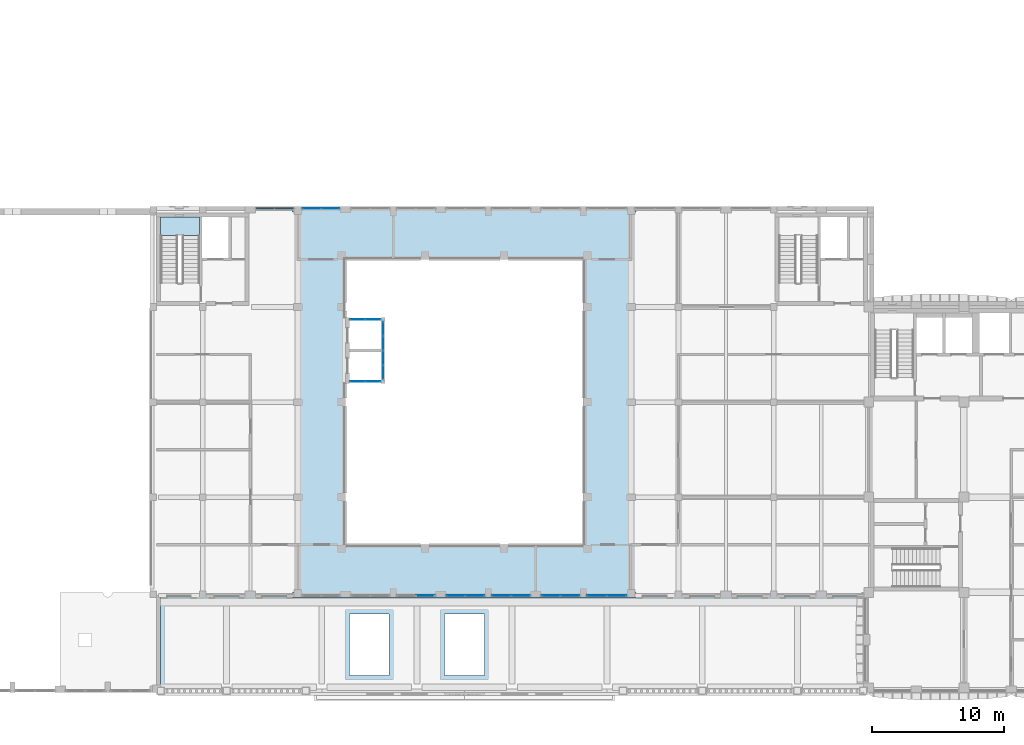
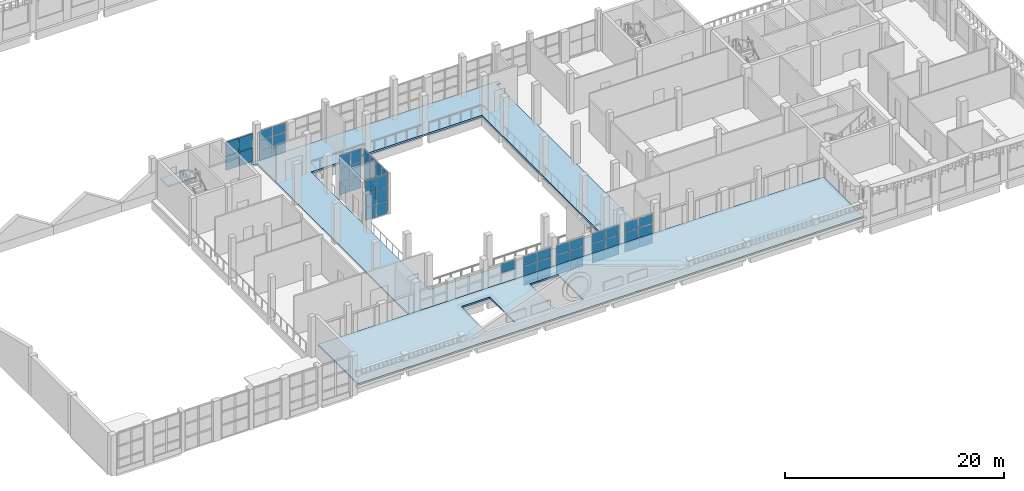
# One storey, part 17 of 58: 59 plates, 3 slabs, 11 elements without a shape of their own.
"""IFC4 building model written with IfcOpenShell, lengths in metres."""

from ifc_helpers import new_model, si_unit, direction, frame, origin, origin_2d, place, context, subcontext, project, spatial, polyline, rectangle, outline, extrude, material, layer, layer_set, type_object, element, aggregate, save


model = new_model("IFC4")

# Units and contexts
model_context = context("Model", 3, precision=1e-05, world=origin(), true_north=direction((0.0, 1.0)))
body_context = subcontext(model_context, "Body", "Model", "MODEL_VIEW")
ifc_project = project(units=[si_unit("LENGTHUNIT", "METRE"), si_unit("AREAUNIT", "SQUARE_METRE"), si_unit("VOLUMEUNIT", "CUBIC_METRE"), si_unit("PLANEANGLEUNIT", "RADIAN"), si_unit("MASSUNIT", "GRAM", prefix="KILO")], contexts=[model_context])

# Site, building, storey
site_placement = place(None, origin())
site = spatial("IfcSite", under=ifc_project, at=site_placement, CompositionType="ELEMENT")
building_placement = place(site_placement, origin())
building = spatial("IfcBuilding", under=site, at=building_placement, Name="Ussher Court Research Institute", CompositionType="ELEMENT")
storey_placement = place(building_placement, frame((0.0, 0.0, 9.89990234375)))
storey = spatial("IfcBuildingStorey", under=building, at=storey_placement, Name="L02", CompositionType="ELEMENT", Elevation=9.89990234375)

# Curtain wall, plates
ifc_material_1 = material(Name="Bronze anodised aluminium with fire-resisting glass", Category="aluminium")
ifc_layer_1 = layer(ifc_material_1, 0.1201171875)
ifc_layer_set_1 = layer_set([ifc_layer_1], Name="Bronze anodised aluminium with fire-resisting glass")
curtain_wall_type_1 = type_object("IfcCurtainWallType", Name="Curtain wall stair-side fire-resisting glazing", PredefinedType="NOTDEFINED", material=ifc_layer_set_1)
curtain_wall_1_placement = place(storey_placement, origin())
curtain_wall_1 = element("IfcCurtainWall", 1, at=curtain_wall_1_placement, inside=storey, type_object=curtain_wall_type_1, Name="Curtain wall CW13 L02", PredefinedType="NOTDEFINED")
ifc_material_2 = material(Name="Fire-resisting laminated glazed unit")
ifc_layer_2 = layer(ifc_material_2, 0.090087890625)
ifc_layer_set_2 = layer_set([ifc_layer_2], Name="Fire-resisting laminated glazed unit")
plate_type_1 = type_object("IfcPlateType", Name="Fire-resisting glazing panel EI 60 90 mm", PredefinedType="CURTAIN_PANEL", material=ifc_layer_set_2)
plate_1_placement = place(storey_placement, frame((36.5400390625, 40.25, 0.2099609375), z_axis=(0.0, 0.0, 1.0), x_axis=(1.0, 0.0, 0.0)))
plate_1 = element("IfcPlate", 2, at=plate_1_placement, type_object=plate_type_1, Name="CW13 panel 1.1", PredefinedType="CURTAIN_PANEL", context=body_context, shape_type="SweptSolid", body=[
    extrude(rectangle(XDim=1.360107421875, YDim=0.090087890625, at=origin_2d()), origin(), (0.0, 0.0, 1.0), 1.534912109375),
])
plate_2_placement = place(storey_placement, frame((36.5400390625, 40.25, 1.80517578125), z_axis=(0.0, 0.0, 1.0), x_axis=(1.0, 0.0, 0.0)))
plate_2 = element("IfcPlate", 3, at=plate_2_placement, type_object=plate_type_1, Name="CW13 panel 1.2", PredefinedType="CURTAIN_PANEL", context=body_context, shape_type="SweptSolid", body=[
    extrude(rectangle(XDim=1.360107421875, YDim=0.090087890625, at=origin_2d()), origin(), (0.0, 0.0, 1.0), 1.534912109375),
])
plate_3_placement = place(storey_placement, frame((37.9599609375, 40.25, 0.2099609375), z_axis=(0.0, 0.0, 1.0), x_axis=(1.0, 0.0, 0.0)))
plate_3 = element("IfcPlate", 4, at=plate_3_placement, type_object=plate_type_1, Name="CW13 panel 2.1", PredefinedType="CURTAIN_PANEL", context=body_context, shape_type="SweptSolid", body=[
    extrude(rectangle(XDim=1.360107421875, YDim=0.090087890625, at=origin_2d()), origin(), (0.0, 0.0, 1.0), 1.534912109375),
])
plate_4_placement = place(storey_placement, frame((37.9599609375, 40.25, 1.80517578125), z_axis=(0.0, 0.0, 1.0), x_axis=(1.0, 0.0, 0.0)))
plate_4 = element("IfcPlate", 5, at=plate_4_placement, type_object=plate_type_1, Name="CW13 panel 2.2", PredefinedType="CURTAIN_PANEL", context=body_context, shape_type="SweptSolid", body=[
    extrude(rectangle(XDim=1.360107421875, YDim=0.090087890625, at=origin_2d()), origin(), (0.0, 0.0, 1.0), 1.534912109375),
])
aggregate(curtain_wall_1, [plate_1, plate_2, plate_3, plate_4])

# Slab
ifc_material_3 = material(Name="Concrete C35/45", Category="concrete")
ifc_layer_3 = layer(ifc_material_3, 0.199951171875)
ifc_layer_set_3 = layer_set([ifc_layer_3], Name="Concrete C35/45")
slab_type_1 = type_object("IfcSlabType", Name="Floor slab 200", PredefinedType="FLOOR", material=ifc_layer_set_3)
slab_1_placement = place(storey_placement, frame((0.0, 0.0, -0.199951171875)))
element("IfcSlab", 6, at=slab_1_placement, inside=storey, type_object=slab_type_1, Name="FS200 V2 L02-01", PredefinedType="FLOOR", context=body_context, shape_type="SweptSolid", body=[
    extrude(outline(polyline([(39.0, 40.0), (39.0, 11.199951171875), (38.60009765625, 11.199951171875), (38.60009765625, 10.800048828125), (64.60009765625, 10.800048828125), (64.60009765625, 11.199951171875), (64.199951171875, 11.199951171875), (64.199951171875, 40.0), (64.60009765625, 40.0), (64.60009765625, 40.39990234375), (38.60009765625, 40.39990234375), (38.60009765625, 40.0), (39.0, 40.0)]), holes=[polyline([(42.60009765625, 36.39990234375), (60.60009765625, 36.39990234375), (60.60009765625, 14.800048828125), (42.60009765625, 14.800048828125), (42.60009765625, 36.39990234375)])]), origin(), (0.0, 0.0, 1.0), 0.199951171875),
])

# Curtain wall, plates
ifc_material_4 = material(Name="Bronze anodised aluminium with low-e glass", Category="aluminium")
ifc_layer_4 = layer(ifc_material_4, 0.1201171875)
ifc_layer_set_4 = layer_set([ifc_layer_4], Name="Bronze anodised aluminium with low-e glass")
curtain_wall_type_2 = type_object("IfcCurtainWallType", Name="Curtain wall atrium clear glazing", PredefinedType="NOTDEFINED", material=ifc_layer_set_4)
curtain_wall_2_placement = place(storey_placement, origin())
curtain_wall_2 = element("IfcCurtainWall", 7, at=curtain_wall_2_placement, inside=storey, type_object=curtain_wall_type_2, Name="Curtain wall CW2 L02", PredefinedType="NOTDEFINED")
ifc_material_5 = material(Name="Double glazed unit")
ifc_layer_5 = layer(ifc_material_5, 0.028076171875)
ifc_layer_set_5 = layer_set([ifc_layer_5], Name="Double glazed unit")
plate_type_2 = type_object("IfcPlateType", Name="Glazing panel 28 mm", PredefinedType="CURTAIN_PANEL", material=ifc_layer_set_5)
plate_5_placement = place(storey_placement, frame((40.0400390625, 40.25, 0.06005859375), z_axis=(0.0, 0.0, 1.0), x_axis=(1.0, 0.0, 0.0)))
plate_5 = element("IfcPlate", 8, at=plate_5_placement, type_object=plate_type_2, Name="CW2 panel 1.1", PredefinedType="CURTAIN_PANEL", context=body_context, shape_type="SweptSolid", body=[
    extrude(rectangle(XDim=1.360107421875, YDim=0.028076171875, at=origin_2d()), origin(), (0.0, 0.0, 1.0), 1.043212890625),
])
plate_6_placement = place(storey_placement, frame((40.0400390625, 40.25, 1.16357421875), z_axis=(0.0, 0.0, 1.0), x_axis=(1.0, 0.0, 0.0)))
plate_6 = element("IfcPlate", 9, at=plate_6_placement, type_object=plate_type_2, Name="CW2 panel 1.2", PredefinedType="CURTAIN_PANEL", context=body_context, shape_type="SweptSolid", body=[
    extrude(rectangle(XDim=1.360107421875, YDim=0.028076171875, at=origin_2d()), origin(), (0.0, 0.0, 1.0), 1.073486328125),
])
plate_7_placement = place(storey_placement, frame((40.0400390625, 40.25, 2.296875), z_axis=(0.0, 0.0, 1.0), x_axis=(1.0, 0.0, 0.0)))
plate_7 = element("IfcPlate", 10, at=plate_7_placement, type_object=plate_type_2, Name="CW2 panel 1.3", PredefinedType="CURTAIN_PANEL", context=body_context, shape_type="SweptSolid", body=[
    extrude(rectangle(XDim=1.360107421875, YDim=0.028076171875, at=origin_2d()), origin(), (0.0, 0.0, 1.0), 1.043212890625),
])
plate_8_placement = place(storey_placement, frame((41.4599609375, 40.25, 0.06005859375), z_axis=(0.0, 0.0, 1.0), x_axis=(1.0, 0.0, 0.0)))
plate_8 = element("IfcPlate", 11, at=plate_8_placement, type_object=plate_type_2, Name="CW2 panel 2.1", PredefinedType="CURTAIN_PANEL", context=body_context, shape_type="SweptSolid", body=[
    extrude(rectangle(XDim=1.360107421875, YDim=0.028076171875, at=origin_2d()), origin(), (0.0, 0.0, 1.0), 1.043212890625),
])
plate_9_placement = place(storey_placement, frame((41.4599609375, 40.25, 1.16357421875), z_axis=(0.0, 0.0, 1.0), x_axis=(1.0, 0.0, 0.0)))
plate_9 = element("IfcPlate", 12, at=plate_9_placement, type_object=plate_type_2, Name="CW2 panel 2.2", PredefinedType="CURTAIN_PANEL", context=body_context, shape_type="SweptSolid", body=[
    extrude(rectangle(XDim=1.360107421875, YDim=0.028076171875, at=origin_2d()), origin(), (0.0, 0.0, 1.0), 1.073486328125),
])
plate_10_placement = place(storey_placement, frame((41.4599609375, 40.25, 2.296875), z_axis=(0.0, 0.0, 1.0), x_axis=(1.0, 0.0, 0.0)))
plate_10 = element("IfcPlate", 13, at=plate_10_placement, type_object=plate_type_2, Name="CW2 panel 2.3", PredefinedType="CURTAIN_PANEL", context=body_context, shape_type="SweptSolid", body=[
    extrude(rectangle(XDim=1.360107421875, YDim=0.028076171875, at=origin_2d()), origin(), (0.0, 0.0, 1.0), 1.043212890625),
])
aggregate(curtain_wall_2, [plate_5, plate_6, plate_7, plate_8, plate_9, plate_10])

curtain_wall_3_placement = place(storey_placement, origin())
curtain_wall_3 = element("IfcCurtainWall", 14, at=curtain_wall_3_placement, inside=storey, type_object=curtain_wall_type_2, Name="Curtain wall CW2 L02", PredefinedType="NOTDEFINED")
plate_11_placement = place(storey_placement, frame((63.12255859375, 10.949951171875, 0.06005859375), z_axis=(0.0, 0.0, 1.0), x_axis=(-1.0, 0.0, 0.0)))
plate_11 = element("IfcPlate", 15, at=plate_11_placement, type_object=plate_type_2, Name="CW2 panel 1.1", PredefinedType="CURTAIN_PANEL", context=body_context, shape_type="SweptSolid", body=[
    extrude(rectangle(XDim=1.43505859375, YDim=0.028076171875, at=origin_2d()), origin(), (0.0, 0.0, 1.0), 1.043212890625),
])
plate_12_placement = place(storey_placement, frame((63.12255859375, 10.949951171875, 1.16357421875), z_axis=(0.0, 0.0, 1.0), x_axis=(-1.0, 0.0, 0.0)))
plate_12 = element("IfcPlate", 16, at=plate_12_placement, type_object=plate_type_2, Name="CW2 panel 1.2", PredefinedType="CURTAIN_PANEL", context=body_context, shape_type="SweptSolid", body=[
    extrude(rectangle(XDim=1.43505859375, YDim=0.028076171875, at=origin_2d()), origin(), (0.0, 0.0, 1.0), 1.073486328125),
])
plate_13_placement = place(storey_placement, frame((63.12255859375, 10.949951171875, 2.296875), z_axis=(0.0, 0.0, 1.0), x_axis=(-1.0, 0.0, 0.0)))
plate_13 = element("IfcPlate", 17, at=plate_13_placement, type_object=plate_type_2, Name="CW2 panel 1.3", PredefinedType="CURTAIN_PANEL", context=body_context, shape_type="SweptSolid", body=[
    extrude(rectangle(XDim=1.43505859375, YDim=0.028076171875, at=origin_2d()), origin(), (0.0, 0.0, 1.0), 1.043212890625),
])
plate_14_placement = place(storey_placement, frame((61.62744140625, 10.949951171875, 0.06005859375), z_axis=(0.0, 0.0, 1.0), x_axis=(-1.0, 0.0, 0.0)))
plate_14 = element("IfcPlate", 18, at=plate_14_placement, type_object=plate_type_2, Name="CW2 panel 2.1", PredefinedType="CURTAIN_PANEL", context=body_context, shape_type="SweptSolid", body=[
    extrude(rectangle(XDim=1.43505859375, YDim=0.028076171875, at=origin_2d()), origin(), (0.0, 0.0, 1.0), 1.043212890625),
])
plate_15_placement = place(storey_placement, frame((61.62744140625, 10.949951171875, 1.16357421875), z_axis=(0.0, 0.0, 1.0), x_axis=(-1.0, 0.0, 0.0)))
plate_15 = element("IfcPlate", 19, at=plate_15_placement, type_object=plate_type_2, Name="CW2 panel 2.2", PredefinedType="CURTAIN_PANEL", context=body_context, shape_type="SweptSolid", body=[
    extrude(rectangle(XDim=1.43505859375, YDim=0.028076171875, at=origin_2d()), origin(), (0.0, 0.0, 1.0), 1.073486328125),
])
plate_16_placement = place(storey_placement, frame((61.62744140625, 10.949951171875, 2.296875), z_axis=(0.0, 0.0, 1.0), x_axis=(-1.0, 0.0, 0.0)))
plate_16 = element("IfcPlate", 20, at=plate_16_placement, type_object=plate_type_2, Name="CW2 panel 2.3", PredefinedType="CURTAIN_PANEL", context=body_context, shape_type="SweptSolid", body=[
    extrude(rectangle(XDim=1.43505859375, YDim=0.028076171875, at=origin_2d()), origin(), (0.0, 0.0, 1.0), 1.043212890625),
])
aggregate(curtain_wall_3, [plate_11, plate_12, plate_13, plate_14, plate_15, plate_16])

curtain_wall_4_placement = place(storey_placement, origin())
curtain_wall_4 = element("IfcCurtainWall", 21, at=curtain_wall_4_placement, inside=storey, type_object=curtain_wall_type_2, Name="Curtain wall CW2 L02", PredefinedType="NOTDEFINED")
plate_17_placement = place(storey_placement, frame((59.597412109375, 10.949951171875, 0.06005859375), z_axis=(0.0, 0.0, 1.0), x_axis=(-1.0, 0.0, 0.0)))
plate_17 = element("IfcPlate", 22, at=plate_17_placement, type_object=plate_type_2, Name="CW2 panel 1.1", PredefinedType="CURTAIN_PANEL", context=body_context, shape_type="SweptSolid", body=[
    extrude(rectangle(XDim=1.385009765625, YDim=0.028076171875, at=origin_2d()), origin(), (0.0, 0.0, 1.0), 1.043212890625),
])
plate_18_placement = place(storey_placement, frame((59.597412109375, 10.949951171875, 1.16357421875), z_axis=(0.0, 0.0, 1.0), x_axis=(-1.0, 0.0, 0.0)))
plate_18 = element("IfcPlate", 23, at=plate_18_placement, type_object=plate_type_2, Name="CW2 panel 1.2", PredefinedType="CURTAIN_PANEL", context=body_context, shape_type="SweptSolid", body=[
    extrude(rectangle(XDim=1.385009765625, YDim=0.028076171875, at=origin_2d()), origin(), (0.0, 0.0, 1.0), 1.073486328125),
])
plate_19_placement = place(storey_placement, frame((59.597412109375, 10.949951171875, 2.296875), z_axis=(0.0, 0.0, 1.0), x_axis=(-1.0, 0.0, 0.0)))
plate_19 = element("IfcPlate", 24, at=plate_19_placement, type_object=plate_type_2, Name="CW2 panel 1.3", PredefinedType="CURTAIN_PANEL", context=body_context, shape_type="SweptSolid", body=[
    extrude(rectangle(XDim=1.385009765625, YDim=0.028076171875, at=origin_2d()), origin(), (0.0, 0.0, 1.0), 1.043212890625),
])
plate_20_placement = place(storey_placement, frame((58.152587890625, 10.949951171875, 0.06005859375), z_axis=(0.0, 0.0, 1.0), x_axis=(-1.0, 0.0, 0.0)))
plate_20 = element("IfcPlate", 25, at=plate_20_placement, type_object=plate_type_2, Name="CW2 panel 2.1", PredefinedType="CURTAIN_PANEL", context=body_context, shape_type="SweptSolid", body=[
    extrude(rectangle(XDim=1.385009765625, YDim=0.028076171875, at=origin_2d()), origin(), (0.0, 0.0, 1.0), 1.043212890625),
])
plate_21_placement = place(storey_placement, frame((58.152587890625, 10.949951171875, 1.16357421875), z_axis=(0.0, 0.0, 1.0), x_axis=(-1.0, 0.0, 0.0)))
plate_21 = element("IfcPlate", 26, at=plate_21_placement, type_object=plate_type_2, Name="CW2 panel 2.2", PredefinedType="CURTAIN_PANEL", context=body_context, shape_type="SweptSolid", body=[
    extrude(rectangle(XDim=1.385009765625, YDim=0.028076171875, at=origin_2d()), origin(), (0.0, 0.0, 1.0), 1.073486328125),
])
plate_22_placement = place(storey_placement, frame((58.152587890625, 10.949951171875, 2.296875), z_axis=(0.0, 0.0, 1.0), x_axis=(-1.0, 0.0, 0.0)))
plate_22 = element("IfcPlate", 27, at=plate_22_placement, type_object=plate_type_2, Name="CW2 panel 2.3", PredefinedType="CURTAIN_PANEL", context=body_context, shape_type="SweptSolid", body=[
    extrude(rectangle(XDim=1.385009765625, YDim=0.028076171875, at=origin_2d()), origin(), (0.0, 0.0, 1.0), 1.043212890625),
])
aggregate(curtain_wall_4, [plate_17, plate_18, plate_19, plate_20, plate_21, plate_22])

curtain_wall_5_placement = place(storey_placement, origin())
curtain_wall_5 = element("IfcCurtainWall", 28, at=curtain_wall_5_placement, inside=storey, type_object=curtain_wall_type_2, Name="Curtain wall CW2 L02", PredefinedType="NOTDEFINED")
plate_23_placement = place(storey_placement, frame((55.847412109375, 10.949951171875, 0.06005859375), z_axis=(0.0, 0.0, 1.0), x_axis=(-1.0, 0.0, 0.0)))
plate_23 = element("IfcPlate", 29, at=plate_23_placement, type_object=plate_type_2, Name="CW2 panel 1.1", PredefinedType="CURTAIN_PANEL", context=body_context, shape_type="SweptSolid", body=[
    extrude(rectangle(XDim=1.385009765625, YDim=0.028076171875, at=origin_2d()), origin(), (0.0, 0.0, 1.0), 1.043212890625),
])
plate_24_placement = place(storey_placement, frame((55.847412109375, 10.949951171875, 1.16357421875), z_axis=(0.0, 0.0, 1.0), x_axis=(-1.0, 0.0, 0.0)))
plate_24 = element("IfcPlate", 30, at=plate_24_placement, type_object=plate_type_2, Name="CW2 panel 1.2", PredefinedType="CURTAIN_PANEL", context=body_context, shape_type="SweptSolid", body=[
    extrude(rectangle(XDim=1.385009765625, YDim=0.028076171875, at=origin_2d()), origin(), (0.0, 0.0, 1.0), 1.073486328125),
])
plate_25_placement = place(storey_placement, frame((55.847412109375, 10.949951171875, 2.296875), z_axis=(0.0, 0.0, 1.0), x_axis=(-1.0, 0.0, 0.0)))
plate_25 = element("IfcPlate", 31, at=plate_25_placement, type_object=plate_type_2, Name="CW2 panel 1.3", PredefinedType="CURTAIN_PANEL", context=body_context, shape_type="SweptSolid", body=[
    extrude(rectangle(XDim=1.385009765625, YDim=0.028076171875, at=origin_2d()), origin(), (0.0, 0.0, 1.0), 1.043212890625),
])
plate_26_placement = place(storey_placement, frame((54.402587890625, 10.949951171875, 0.06005859375), z_axis=(0.0, 0.0, 1.0), x_axis=(-1.0, 0.0, 0.0)))
plate_26 = element("IfcPlate", 32, at=plate_26_placement, type_object=plate_type_2, Name="CW2 panel 2.1", PredefinedType="CURTAIN_PANEL", context=body_context, shape_type="SweptSolid", body=[
    extrude(rectangle(XDim=1.385009765625, YDim=0.028076171875, at=origin_2d()), origin(), (0.0, 0.0, 1.0), 1.043212890625),
])
plate_27_placement = place(storey_placement, frame((54.402587890625, 10.949951171875, 1.16357421875), z_axis=(0.0, 0.0, 1.0), x_axis=(-1.0, 0.0, 0.0)))
plate_27 = element("IfcPlate", 33, at=plate_27_placement, type_object=plate_type_2, Name="CW2 panel 2.2", PredefinedType="CURTAIN_PANEL", context=body_context, shape_type="SweptSolid", body=[
    extrude(rectangle(XDim=1.385009765625, YDim=0.028076171875, at=origin_2d()), origin(), (0.0, 0.0, 1.0), 1.073486328125),
])
plate_28_placement = place(storey_placement, frame((54.402587890625, 10.949951171875, 2.296875), z_axis=(0.0, 0.0, 1.0), x_axis=(-1.0, 0.0, 0.0)))
plate_28 = element("IfcPlate", 34, at=plate_28_placement, type_object=plate_type_2, Name="CW2 panel 2.3", PredefinedType="CURTAIN_PANEL", context=body_context, shape_type="SweptSolid", body=[
    extrude(rectangle(XDim=1.385009765625, YDim=0.028076171875, at=origin_2d()), origin(), (0.0, 0.0, 1.0), 1.043212890625),
])
aggregate(curtain_wall_5, [plate_23, plate_24, plate_25, plate_26, plate_27, plate_28])

curtain_wall_6_placement = place(storey_placement, origin())
curtain_wall_6 = element("IfcCurtainWall", 35, at=curtain_wall_6_placement, inside=storey, type_object=curtain_wall_type_2, Name="Curtain wall CW2 L02", PredefinedType="NOTDEFINED")
plate_29_placement = place(storey_placement, frame((52.3974609375, 10.949951171875, 0.06005859375), z_axis=(0.0, 0.0, 1.0), x_axis=(-1.0, 0.0, 0.0)))
plate_29 = element("IfcPlate", 36, at=plate_29_placement, type_object=plate_type_2, Name="CW2 panel 1.1", PredefinedType="CURTAIN_PANEL", context=body_context, shape_type="SweptSolid", body=[
    extrude(rectangle(XDim=1.385009765625, YDim=0.028076171875, at=origin_2d()), origin(), (0.0, 0.0, 1.0), 1.043212890625),
])
plate_30_placement = place(storey_placement, frame((52.3974609375, 10.949951171875, 1.16357421875), z_axis=(0.0, 0.0, 1.0), x_axis=(-1.0, 0.0, 0.0)))
plate_30 = element("IfcPlate", 37, at=plate_30_placement, type_object=plate_type_2, Name="CW2 panel 1.2", PredefinedType="CURTAIN_PANEL", context=body_context, shape_type="SweptSolid", body=[
    extrude(rectangle(XDim=1.385009765625, YDim=0.028076171875, at=origin_2d()), origin(), (0.0, 0.0, 1.0), 1.073486328125),
])
plate_31_placement = place(storey_placement, frame((52.3974609375, 10.949951171875, 2.296875), z_axis=(0.0, 0.0, 1.0), x_axis=(-1.0, 0.0, 0.0)))
plate_31 = element("IfcPlate", 38, at=plate_31_placement, type_object=plate_type_2, Name="CW2 panel 1.3", PredefinedType="CURTAIN_PANEL", context=body_context, shape_type="SweptSolid", body=[
    extrude(rectangle(XDim=1.385009765625, YDim=0.028076171875, at=origin_2d()), origin(), (0.0, 0.0, 1.0), 1.043212890625),
])
plate_32_placement = place(storey_placement, frame((50.952392578125, 10.949951171875, 0.06005859375), z_axis=(0.0, 0.0, 1.0), x_axis=(-1.0, 0.0, 0.0)))
plate_32 = element("IfcPlate", 39, at=plate_32_placement, type_object=plate_type_2, Name="CW2 panel 2.1", PredefinedType="CURTAIN_PANEL", context=body_context, shape_type="SweptSolid", body=[
    extrude(rectangle(XDim=1.385009765625, YDim=0.028076171875, at=origin_2d()), origin(), (0.0, 0.0, 1.0), 1.043212890625),
])
plate_33_placement = place(storey_placement, frame((50.952392578125, 10.949951171875, 1.16357421875), z_axis=(0.0, 0.0, 1.0), x_axis=(-1.0, 0.0, 0.0)))
plate_33 = element("IfcPlate", 40, at=plate_33_placement, type_object=plate_type_2, Name="CW2 panel 2.2", PredefinedType="CURTAIN_PANEL", context=body_context, shape_type="SweptSolid", body=[
    extrude(rectangle(XDim=1.385009765625, YDim=0.028076171875, at=origin_2d()), origin(), (0.0, 0.0, 1.0), 1.073486328125),
])
plate_34_placement = place(storey_placement, frame((50.952392578125, 10.949951171875, 2.296875), z_axis=(0.0, 0.0, 1.0), x_axis=(-1.0, 0.0, 0.0)))
plate_34 = element("IfcPlate", 41, at=plate_34_placement, type_object=plate_type_2, Name="CW2 panel 2.3", PredefinedType="CURTAIN_PANEL", context=body_context, shape_type="SweptSolid", body=[
    extrude(rectangle(XDim=1.385009765625, YDim=0.028076171875, at=origin_2d()), origin(), (0.0, 0.0, 1.0), 1.043212890625),
])
aggregate(curtain_wall_6, [plate_29, plate_30, plate_31, plate_32, plate_33, plate_34])

# Curtain wall, plate
curtain_wall_7_placement = place(storey_placement, origin())
curtain_wall_7 = element("IfcCurtainWall", 42, at=curtain_wall_7_placement, inside=storey, type_object=curtain_wall_type_2, Name="Curtain wall CW2 L02", PredefinedType="NOTDEFINED")
plate_35_placement = place(storey_placement, frame((48.6474609375, 10.949951171875, 2.296875), z_axis=(0.0, 0.0, 1.0), x_axis=(-1.0, 0.0, 0.0)))
plate_35 = element("IfcPlate", 43, at=plate_35_placement, type_object=plate_type_2, Name="CW2 panel 1.3", PredefinedType="CURTAIN_PANEL", context=body_context, shape_type="SweptSolid", body=[
    extrude(rectangle(XDim=1.385009765625, YDim=0.028076171875, at=origin_2d()), origin(), (0.0, 0.0, 1.0), 1.043212890625),
])
aggregate(curtain_wall_7, [plate_35])

# Curtain wall, plates
curtain_wall_8_placement = place(storey_placement, origin())
curtain_wall_8 = element("IfcCurtainWall", 44, at=curtain_wall_8_placement, inside=storey, type_object=curtain_wall_type_2, Name="Curtain wall CW2 lift shaft L02", PredefinedType="NOTDEFINED")
plate_36_placement = place(storey_placement, frame((43.514892578125, 27.14990234375, 0.06005859375), z_axis=(0.0, 0.0, 1.0), x_axis=(1.0, 0.0, 0.0)))
plate_36 = element("IfcPlate", 45, at=plate_36_placement, type_object=plate_type_2, Name="CW2 panel 1.1", PredefinedType="CURTAIN_PANEL", context=body_context, shape_type="SweptSolid", body=[
    extrude(rectangle(XDim=1.110107421875, YDim=0.028076171875, at=origin_2d()), origin(), (0.0, 0.0, 1.0), 1.409912109375),
])
plate_37_placement = place(storey_placement, frame((43.514892578125, 27.14990234375, 1.530029296875), z_axis=(0.0, 0.0, 1.0), x_axis=(1.0, 0.0, 0.0)))
plate_37 = element("IfcPlate", 46, at=plate_37_placement, type_object=plate_type_2, Name="CW2 panel 1.2", PredefinedType="CURTAIN_PANEL", context=body_context, shape_type="SweptSolid", body=[
    extrude(rectangle(XDim=1.110107421875, YDim=0.028076171875, at=origin_2d()), origin(), (0.0, 0.0, 1.0), 1.43994140625),
])
plate_38_placement = place(storey_placement, frame((43.514892578125, 27.14990234375, 3.0302734375), z_axis=(0.0, 0.0, 1.0), x_axis=(1.0, 0.0, 0.0)))
plate_38 = element("IfcPlate", 47, at=plate_38_placement, type_object=plate_type_2, Name="CW2 panel 1.3", PredefinedType="CURTAIN_PANEL", context=body_context, shape_type="SweptSolid", body=[
    extrude(rectangle(XDim=1.110107421875, YDim=0.028076171875, at=origin_2d()), origin(), (0.0, 0.0, 1.0), 1.409912109375),
])
plate_39_placement = place(storey_placement, frame((44.68505859375, 27.14990234375, 0.06005859375), z_axis=(0.0, 0.0, 1.0), x_axis=(1.0, 0.0, 0.0)))
plate_39 = element("IfcPlate", 48, at=plate_39_placement, type_object=plate_type_2, Name="CW2 panel 2.1", PredefinedType="CURTAIN_PANEL", context=body_context, shape_type="SweptSolid", body=[
    extrude(rectangle(XDim=1.110107421875, YDim=0.028076171875, at=origin_2d()), origin(), (0.0, 0.0, 1.0), 1.409912109375),
])
plate_40_placement = place(storey_placement, frame((44.68505859375, 27.14990234375, 1.530029296875), z_axis=(0.0, 0.0, 1.0), x_axis=(1.0, 0.0, 0.0)))
plate_40 = element("IfcPlate", 49, at=plate_40_placement, type_object=plate_type_2, Name="CW2 panel 2.2", PredefinedType="CURTAIN_PANEL", context=body_context, shape_type="SweptSolid", body=[
    extrude(rectangle(XDim=1.110107421875, YDim=0.028076171875, at=origin_2d()), origin(), (0.0, 0.0, 1.0), 1.43994140625),
])
plate_41_placement = place(storey_placement, frame((44.68505859375, 27.14990234375, 3.0302734375), z_axis=(0.0, 0.0, 1.0), x_axis=(1.0, 0.0, 0.0)))
plate_41 = element("IfcPlate", 50, at=plate_41_placement, type_object=plate_type_2, Name="CW2 panel 2.3", PredefinedType="CURTAIN_PANEL", context=body_context, shape_type="SweptSolid", body=[
    extrude(rectangle(XDim=1.110107421875, YDim=0.028076171875, at=origin_2d()), origin(), (0.0, 0.0, 1.0), 1.409912109375),
])
aggregate(curtain_wall_8, [plate_36, plate_37, plate_38, plate_39, plate_40, plate_41])

curtain_wall_9_placement = place(storey_placement, origin())
curtain_wall_9 = element("IfcCurtainWall", 51, at=curtain_wall_9_placement, inside=storey, type_object=curtain_wall_type_2, Name="Curtain wall CW2 lift shaft L02", PredefinedType="NOTDEFINED")
plate_42_placement = place(storey_placement, frame((43.514892578125, 31.85009765625, 0.06005859375), z_axis=(0.0, 0.0, 1.0), x_axis=(1.0, 0.0, 0.0)))
plate_42 = element("IfcPlate", 52, at=plate_42_placement, type_object=plate_type_2, Name="CW2 panel 1.1", PredefinedType="CURTAIN_PANEL", context=body_context, shape_type="SweptSolid", body=[
    extrude(rectangle(XDim=1.110107421875, YDim=0.028076171875, at=origin_2d()), origin(), (0.0, 0.0, 1.0), 1.409912109375),
])
plate_43_placement = place(storey_placement, frame((43.514892578125, 31.85009765625, 1.530029296875), z_axis=(0.0, 0.0, 1.0), x_axis=(1.0, 0.0, 0.0)))
plate_43 = element("IfcPlate", 53, at=plate_43_placement, type_object=plate_type_2, Name="CW2 panel 1.2", PredefinedType="CURTAIN_PANEL", context=body_context, shape_type="SweptSolid", body=[
    extrude(rectangle(XDim=1.110107421875, YDim=0.028076171875, at=origin_2d()), origin(), (0.0, 0.0, 1.0), 1.43994140625),
])
plate_44_placement = place(storey_placement, frame((43.514892578125, 31.85009765625, 3.0302734375), z_axis=(0.0, 0.0, 1.0), x_axis=(1.0, 0.0, 0.0)))
plate_44 = element("IfcPlate", 54, at=plate_44_placement, type_object=plate_type_2, Name="CW2 panel 1.3", PredefinedType="CURTAIN_PANEL", context=body_context, shape_type="SweptSolid", body=[
    extrude(rectangle(XDim=1.110107421875, YDim=0.028076171875, at=origin_2d()), origin(), (0.0, 0.0, 1.0), 1.409912109375),
])
plate_45_placement = place(storey_placement, frame((44.68505859375, 31.85009765625, 0.06005859375), z_axis=(0.0, 0.0, 1.0), x_axis=(1.0, 0.0, 0.0)))
plate_45 = element("IfcPlate", 55, at=plate_45_placement, type_object=plate_type_2, Name="CW2 panel 2.1", PredefinedType="CURTAIN_PANEL", context=body_context, shape_type="SweptSolid", body=[
    extrude(rectangle(XDim=1.110107421875, YDim=0.028076171875, at=origin_2d()), origin(), (0.0, 0.0, 1.0), 1.409912109375),
])
plate_46_placement = place(storey_placement, frame((44.68505859375, 31.85009765625, 1.530029296875), z_axis=(0.0, 0.0, 1.0), x_axis=(1.0, 0.0, 0.0)))
plate_46 = element("IfcPlate", 56, at=plate_46_placement, type_object=plate_type_2, Name="CW2 panel 2.2", PredefinedType="CURTAIN_PANEL", context=body_context, shape_type="SweptSolid", body=[
    extrude(rectangle(XDim=1.110107421875, YDim=0.028076171875, at=origin_2d()), origin(), (0.0, 0.0, 1.0), 1.43994140625),
])
plate_47_placement = place(storey_placement, frame((44.68505859375, 31.85009765625, 3.0302734375), z_axis=(0.0, 0.0, 1.0), x_axis=(1.0, 0.0, 0.0)))
plate_47 = element("IfcPlate", 57, at=plate_47_placement, type_object=plate_type_2, Name="CW2 panel 2.3", PredefinedType="CURTAIN_PANEL", context=body_context, shape_type="SweptSolid", body=[
    extrude(rectangle(XDim=1.110107421875, YDim=0.028076171875, at=origin_2d()), origin(), (0.0, 0.0, 1.0), 1.409912109375),
])
aggregate(curtain_wall_9, [plate_42, plate_43, plate_44, plate_45, plate_46, plate_47])

curtain_wall_10_placement = place(storey_placement, origin())
curtain_wall_10 = element("IfcCurtainWall", 58, at=curtain_wall_10_placement, inside=storey, type_object=curtain_wall_type_2, Name="Curtain wall CW2 lift shaft L02", PredefinedType="NOTDEFINED")
plate_48_placement = place(storey_placement, frame((45.449951171875, 27.864990234375, 0.06005859375), z_axis=(0.0, 0.0, 1.0), x_axis=(0.0, 1.0, 0.0)))
plate_48 = element("IfcPlate", 59, at=plate_48_placement, type_object=plate_type_2, Name="CW2 panel 1.1", PredefinedType="CURTAIN_PANEL", context=body_context, shape_type="SweptSolid", body=[
    extrude(rectangle(XDim=1.010009765625, YDim=0.028076171875, at=origin_2d()), origin(), (0.0, 0.0, 1.0), 1.409912109375),
])
plate_49_placement = place(storey_placement, frame((45.449951171875, 27.864990234375, 1.530029296875), z_axis=(0.0, 0.0, 1.0), x_axis=(0.0, 1.0, 0.0)))
plate_49 = element("IfcPlate", 60, at=plate_49_placement, type_object=plate_type_2, Name="CW2 panel 1.2", PredefinedType="CURTAIN_PANEL", context=body_context, shape_type="SweptSolid", body=[
    extrude(rectangle(XDim=1.010009765625, YDim=0.028076171875, at=origin_2d()), origin(), (0.0, 0.0, 1.0), 1.43994140625),
])
plate_50_placement = place(storey_placement, frame((45.449951171875, 27.864990234375, 3.0302734375), z_axis=(0.0, 0.0, 1.0), x_axis=(0.0, 1.0, 0.0)))
plate_50 = element("IfcPlate", 61, at=plate_50_placement, type_object=plate_type_2, Name="CW2 panel 1.3", PredefinedType="CURTAIN_PANEL", context=body_context, shape_type="SweptSolid", body=[
    extrude(rectangle(XDim=1.010009765625, YDim=0.028076171875, at=origin_2d()), origin(), (0.0, 0.0, 1.0), 1.409912109375),
])
plate_51_placement = place(storey_placement, frame((45.449951171875, 28.949951171875, 0.06005859375), z_axis=(0.0, 0.0, 1.0), x_axis=(0.0, 1.0, 0.0)))
plate_51 = element("IfcPlate", 62, at=plate_51_placement, type_object=plate_type_2, Name="CW2 panel 2.1", PredefinedType="CURTAIN_PANEL", context=body_context, shape_type="SweptSolid", body=[
    extrude(rectangle(XDim=1.0400390625, YDim=0.028076171875, at=origin_2d()), origin(), (0.0, 0.0, 1.0), 1.409912109375),
])
plate_52_placement = place(storey_placement, frame((45.449951171875, 28.949951171875, 1.530029296875), z_axis=(0.0, 0.0, 1.0), x_axis=(0.0, 1.0, 0.0)))
plate_52 = element("IfcPlate", 63, at=plate_52_placement, type_object=plate_type_2, Name="CW2 panel 2.2", PredefinedType="CURTAIN_PANEL", context=body_context, shape_type="SweptSolid", body=[
    extrude(rectangle(XDim=1.0400390625, YDim=0.028076171875, at=origin_2d()), origin(), (0.0, 0.0, 1.0), 1.43994140625),
])
plate_53_placement = place(storey_placement, frame((45.449951171875, 28.949951171875, 3.0302734375), z_axis=(0.0, 0.0, 1.0), x_axis=(0.0, 1.0, 0.0)))
plate_53 = element("IfcPlate", 64, at=plate_53_placement, type_object=plate_type_2, Name="CW2 panel 2.3", PredefinedType="CURTAIN_PANEL", context=body_context, shape_type="SweptSolid", body=[
    extrude(rectangle(XDim=1.0400390625, YDim=0.028076171875, at=origin_2d()), origin(), (0.0, 0.0, 1.0), 1.409912109375),
])
plate_54_placement = place(storey_placement, frame((45.449951171875, 30.050048828125, 0.06005859375), z_axis=(0.0, 0.0, 1.0), x_axis=(0.0, 1.0, 0.0)))
plate_54 = element("IfcPlate", 65, at=plate_54_placement, type_object=plate_type_2, Name="CW2 panel 3.1", PredefinedType="CURTAIN_PANEL", context=body_context, shape_type="SweptSolid", body=[
    extrude(rectangle(XDim=1.0400390625, YDim=0.028076171875, at=origin_2d()), origin(), (0.0, 0.0, 1.0), 1.409912109375),
])
plate_55_placement = place(storey_placement, frame((45.449951171875, 30.050048828125, 1.530029296875), z_axis=(0.0, 0.0, 1.0), x_axis=(0.0, 1.0, 0.0)))
plate_55 = element("IfcPlate", 66, at=plate_55_placement, type_object=plate_type_2, Name="CW2 panel 3.2", PredefinedType="CURTAIN_PANEL", context=body_context, shape_type="SweptSolid", body=[
    extrude(rectangle(XDim=1.0400390625, YDim=0.028076171875, at=origin_2d()), origin(), (0.0, 0.0, 1.0), 1.43994140625),
])
plate_56_placement = place(storey_placement, frame((45.449951171875, 30.050048828125, 3.0302734375), z_axis=(0.0, 0.0, 1.0), x_axis=(0.0, 1.0, 0.0)))
plate_56 = element("IfcPlate", 67, at=plate_56_placement, type_object=plate_type_2, Name="CW2 panel 3.3", PredefinedType="CURTAIN_PANEL", context=body_context, shape_type="SweptSolid", body=[
    extrude(rectangle(XDim=1.0400390625, YDim=0.028076171875, at=origin_2d()), origin(), (0.0, 0.0, 1.0), 1.409912109375),
])
plate_57_placement = place(storey_placement, frame((45.449951171875, 31.135009765625, 0.06005859375), z_axis=(0.0, 0.0, 1.0), x_axis=(0.0, 1.0, 0.0)))
plate_57 = element("IfcPlate", 68, at=plate_57_placement, type_object=plate_type_2, Name="CW2 panel 4.1", PredefinedType="CURTAIN_PANEL", context=body_context, shape_type="SweptSolid", body=[
    extrude(rectangle(XDim=1.010009765625, YDim=0.028076171875, at=origin_2d()), origin(), (0.0, 0.0, 1.0), 1.409912109375),
])
plate_58_placement = place(storey_placement, frame((45.449951171875, 31.135009765625, 1.530029296875), z_axis=(0.0, 0.0, 1.0), x_axis=(0.0, 1.0, 0.0)))
plate_58 = element("IfcPlate", 69, at=plate_58_placement, type_object=plate_type_2, Name="CW2 panel 4.2", PredefinedType="CURTAIN_PANEL", context=body_context, shape_type="SweptSolid", body=[
    extrude(rectangle(XDim=1.010009765625, YDim=0.028076171875, at=origin_2d()), origin(), (0.0, 0.0, 1.0), 1.43994140625),
])
plate_59_placement = place(storey_placement, frame((45.449951171875, 31.135009765625, 3.0302734375), z_axis=(0.0, 0.0, 1.0), x_axis=(0.0, 1.0, 0.0)))
plate_59 = element("IfcPlate", 70, at=plate_59_placement, type_object=plate_type_2, Name="CW2 panel 4.3", PredefinedType="CURTAIN_PANEL", context=body_context, shape_type="SweptSolid", body=[
    extrude(rectangle(XDim=1.010009765625, YDim=0.028076171875, at=origin_2d()), origin(), (0.0, 0.0, 1.0), 1.409912109375),
])
aggregate(curtain_wall_10, [plate_48, plate_49, plate_50, plate_51, plate_52, plate_53, plate_54, plate_55, plate_56, plate_57, plate_58, plate_59])

# Slab
ifc_material_6 = material(Name="Concrete C35/45", Category="concrete")
ifc_layer_6 = layer(ifc_material_6, 0.159912109375)
ifc_layer_set_6 = layer_set([ifc_layer_6], Name="Concrete C35/45")
slab_type_2 = type_object("IfcSlabType", Name="Roof slab 160", PredefinedType="ROOF", material=ifc_layer_set_6)
slab_2_placement = place(storey_placement, frame((0.0, 0.0, 1.0400390625)))
element("IfcSlab", 71, at=slab_2_placement, inside=storey, type_object=slab_type_2, Name="RS160 V6 L02-01", PredefinedType="ROOF", context=body_context, shape_type="SweptSolid", body=[
    extrude(outline(polyline([(28.60009765625, 10.89990234375), (28.60009765625, 3.60009765625), (81.800048828125, 3.60009765625), (81.800048828125, 10.89990234375), (28.60009765625, 10.89990234375)]), holes=[polyline([(42.89990234375, 9.550048828125), (45.89990234375, 9.550048828125), (45.89990234375, 4.89990234375), (42.89990234375, 4.89990234375), (42.89990234375, 9.550048828125)]), polyline([(53.10009765625, 9.550048828125), (53.10009765625, 4.89990234375), (50.10009765625, 4.89990234375), (50.10009765625, 9.550048828125), (53.10009765625, 9.550048828125)])]), origin(), (0.0, 0.0, 1.0), 0.16015625),
])

# Stair, slab
ifc_material_7 = material(Name="Concrete C35/45", Category="concrete")
stair_type = type_object("IfcStairType", Name="Core stair 26 risers 173 mm x 300 going 1300 wide", PredefinedType="HALF_TURN_STAIR", material=ifc_material_7)
stair_placement = place(storey_placement, origin())
stair = element("IfcStair", 72, at=stair_placement, inside=storey, type_object=stair_type, Name="L02 Stair W1", PredefinedType="HALF_TURN_STAIR")
ifc_material_8 = material(Name="Concrete C35/45", Category="concrete")
ifc_layer_7 = layer(ifc_material_8, 0.199951171875)
ifc_layer_set_7 = layer_set([ifc_layer_7], Name="Concrete C35/45")
slab_type_3 = type_object("IfcSlabType", Name="Stair landing 200 RC", PredefinedType="LANDING", material=ifc_layer_set_7)
slab_3_placement = place(storey_placement, frame((0.0, 0.0, 2.050048828125)))
slab_3 = element("IfcSlab", 73, at=slab_3_placement, type_object=slab_type_3, Name="W1 landing 1", PredefinedType="LANDING", context=body_context, shape_type="SweptSolid", body=[
    extrude(outline(polyline([(31.550048828125, 38.199951171875), (31.550048828125, 39.60009765625), (28.60009765625, 39.60009765625), (28.60009765625, 38.199951171875), (31.550048828125, 38.199951171875)])), origin(), (0.0, 0.0, 1.0), 0.199951171875),
])
aggregate(stair, [slab_3])

save(model, "model.ifc")
